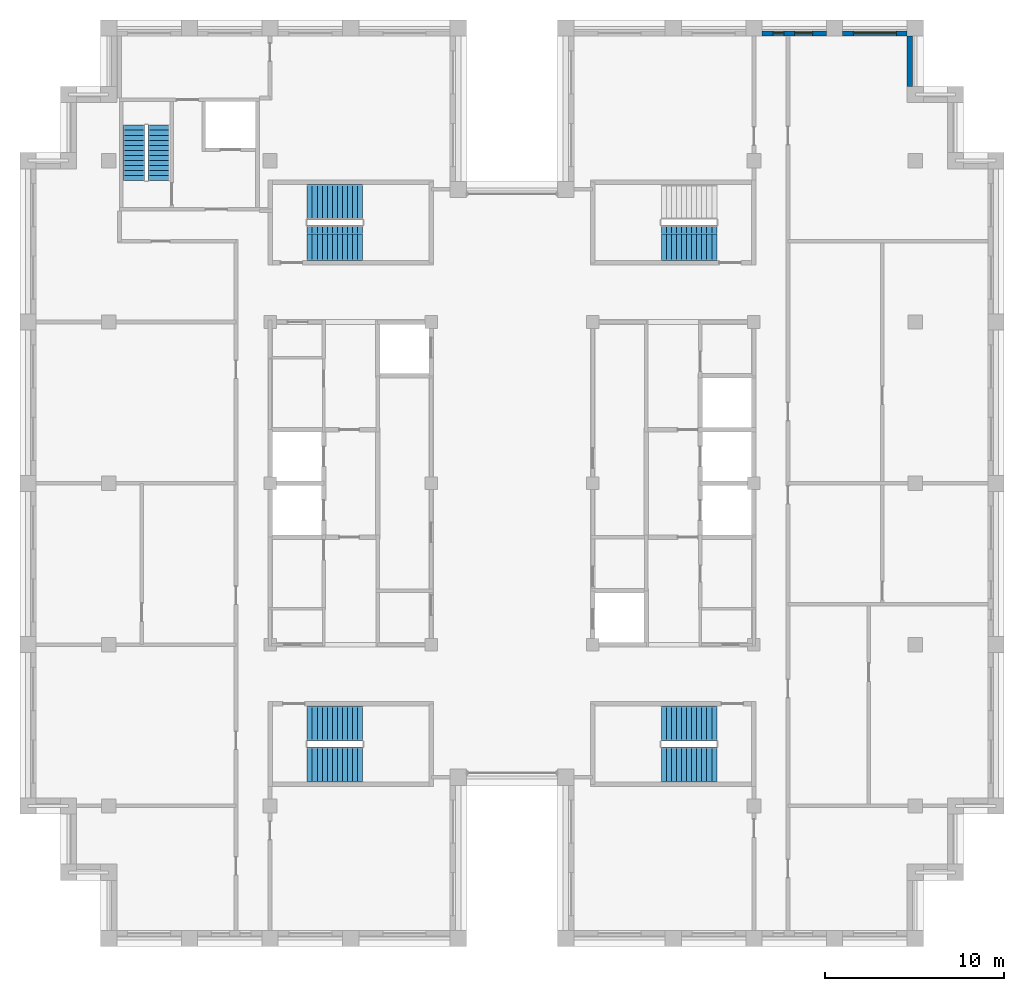
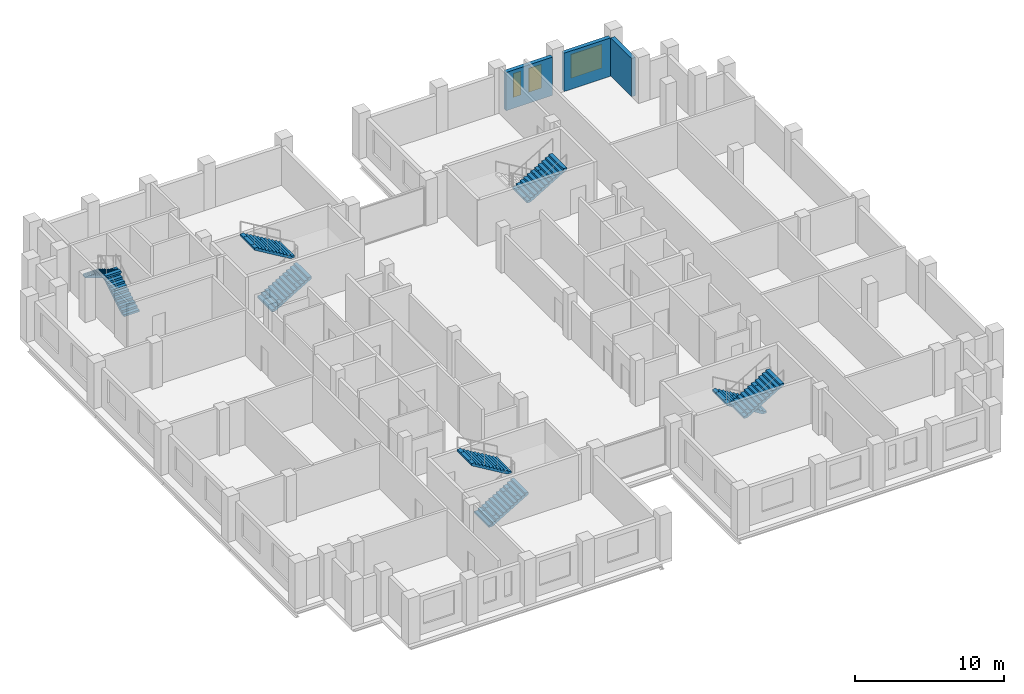
# One storey, part 11 of 13: 9 stair flights, 3 walls, 3 windows, 3 openings, 5 elements without a shape of their own.
"""IFC4 building model written with IfcOpenShell, lengths in metres."""

from ifc_helpers import new_model, si_unit, direction, frame, frame_2d, origin, place, context, subcontext, project, spatial, polyline, rectangle, outline, extrude, material, layer, layer_set, type_object, element, fill, aggregate, save


model = new_model("IFC4")

# Units and contexts
model_context = context("Model", 3, precision=1e-05, world=origin(), true_north=direction((0.0, 1.0)))
body_context = subcontext(model_context, "Body", "Model", "MODEL_VIEW")
ifc_project = project(units=[si_unit("LENGTHUNIT", "METRE"), si_unit("AREAUNIT", "SQUARE_METRE"), si_unit("VOLUMEUNIT", "CUBIC_METRE"), si_unit("PLANEANGLEUNIT", "RADIAN"), si_unit("MASSUNIT", "GRAM", prefix="KILO")], contexts=[model_context])

# Site, building, storey
site_placement = place(None, origin())
site = spatial("IfcSite", under=ifc_project, at=site_placement, CompositionType="ELEMENT")
building_placement = place(site_placement, origin())
building = spatial("IfcBuilding", under=site, at=building_placement, Name="Corbelhall Arena Tower", CompositionType="ELEMENT")
storey_placement = place(building_placement, frame((0.0, 0.0, 330.0)))
storey = spatial("IfcBuildingStorey", under=building, at=storey_placement, Name="L72", CompositionType="ELEMENT", Elevation=330.0)

# Wall
ifc_material_1 = material(Name="Precast concrete C40/50 with granite facing", Category="masonry")
ifc_layer = layer(ifc_material_1, 0.300048828125)
ifc_layer_set = layer_set([ifc_layer], Name="EV-IW1 Infill panel 300")
wall_type = type_object("IfcWallType", Name="EV-IW1 Infill panel 300", PredefinedType="SOLIDWALL", material=ifc_layer_set)
wall_1_placement = place(storey_placement, frame((22.199951171875, 22.14990234375, 0.0), z_axis=(0.0, 0.0, 1.0), x_axis=(0.0, 1.0, 0.0)))
element("IfcWall", 1, at=wall_1_placement, inside=storey, type_object=wall_type, Name="Infill panel IW1", PredefinedType="SOLIDWALL", context=body_context, shape_type="SweptSolid", body=[
    extrude(rectangle(XDim=2.800048828125, YDim=0.300048828125, at=frame_2d((1.39990234375, 0.0))), origin(), (0.0, 0.0, 1.0), 3.139892578125),
])

# Wall, opening, window
wall_2_placement = place(storey_placement, frame((22.050048828125, 25.10009765625, 0.0), z_axis=(0.0, 0.0, 1.0), x_axis=(-1.0, 0.0, 0.0)))
wall_2 = element("IfcWall", 2, at=wall_2_placement, inside=storey, type_object=wall_type, Name="Infill panel IW1", PredefinedType="SOLIDWALL", context=body_context, shape_type="SweptSolid", body=[
    extrude(rectangle(XDim=3.60009765625, YDim=0.300048828125, at=frame_2d((1.800048828125, 0.0))), origin(), (0.0, 0.0, 1.0), 3.139892578125),
])
opening_1_placement = place(wall_2_placement, frame((0.60009765625, 0.0, 0.800048828125)))
opening_1 = element("IfcOpeningElement", 3, at=opening_1_placement, cuts=wall_2, Name="Opening WN1", PredefinedType="OPENING", context=body_context, shape_type="SweptSolid", body=[
    extrude(rectangle(XDim=2.39990234375, YDim=1.949951171875, at=frame_2d((1.199951171875, 0.97509765625))), frame((0.0, 0.14990234375, 0.0), z_axis=(0.0, -1.0, 0.0), x_axis=(1.0, 0.0, 0.0)), (0.0, 0.0, 1.0), 0.300048828125),
])
ifc_material_2 = material(Name="Aluminium black anodised", Category="aluminium")
window_type_1 = type_object("IfcWindowType", Name="EV-WN1 Office window", PartitioningType="SINGLE_PANEL", PredefinedType="WINDOW", material=ifc_material_2)
window_1_placement = place(opening_1_placement, origin())
window_1 = element("IfcWindow", 4, at=window_1_placement, inside=storey, type_object=window_type_1, Name="Window WN1", OverallHeight=1.949951171875, OverallWidth=2.39990234375, PartitioningType="SINGLE_PANEL", PredefinedType="WINDOW", context=body_context, shape_type="SweptSolid", body=[
    extrude(rectangle(XDim=2.39990234375, YDim=1.949951171875, at=frame_2d((1.199951171875, 0.97509765625))), frame((0.0, 0.030029296875, 0.0), z_axis=(0.0, -1.0, 0.0), x_axis=(1.0, 0.0, 0.0)), (0.0, 0.0, 1.0), 0.06005859375),
])
fill(opening_1, window_1)

# Wall, openings, windows
wall_3_placement = place(storey_placement, frame((17.550048828125, 25.10009765625, 0.0), z_axis=(0.0, 0.0, 1.0), x_axis=(-1.0, 0.0, 0.0)))
wall_3 = element("IfcWall", 5, at=wall_3_placement, inside=storey, type_object=wall_type, Name="Infill panel IW1", PredefinedType="SOLIDWALL", context=body_context, shape_type="SweptSolid", body=[
    extrude(rectangle(XDim=3.60009765625, YDim=0.300048828125, at=frame_2d((1.800048828125, 0.0))), origin(), (0.0, 0.0, 1.0), 3.139892578125),
])
opening_2_placement = place(wall_3_placement, frame((0.77490234375, 0.0, 0.800048828125)))
opening_2 = element("IfcOpeningElement", 6, at=opening_2_placement, cuts=wall_3, Name="Opening WN6", PredefinedType="OPENING", context=body_context, shape_type="SweptSolid", body=[
    extrude(rectangle(XDim=1.0, YDim=1.949951171875, at=frame_2d((0.5, 0.97509765625))), frame((0.0, 0.14990234375, 0.0), z_axis=(0.0, -1.0, 0.0), x_axis=(1.0, 0.0, 0.0)), (0.0, 0.0, 1.0), 0.300048828125),
])
opening_3_placement = place(wall_3_placement, frame((2.375, 0.0, 0.800048828125)))
opening_3 = element("IfcOpeningElement", 7, at=opening_3_placement, cuts=wall_3, Name="Opening WN5", PredefinedType="OPENING", context=body_context, shape_type="SweptSolid", body=[
    extrude(rectangle(XDim=0.60009765625, YDim=1.949951171875, at=frame_2d((0.300048828125, 0.97509765625))), frame((0.0, 0.14990234375, 0.0), z_axis=(0.0, -1.0, 0.0), x_axis=(1.0, 0.0, 0.0)), (0.0, 0.0, 1.0), 0.300048828125),
])
window_type_2 = type_object("IfcWindowType", Name="EV-WN5 Office window 600", PartitioningType="SINGLE_PANEL", PredefinedType="WINDOW", material=ifc_material_2)
window_2_placement = place(opening_3_placement, origin())
window_2 = element("IfcWindow", 8, at=window_2_placement, inside=storey, type_object=window_type_2, Name="Window WN5", OverallHeight=1.949951171875, OverallWidth=0.60009765625, PartitioningType="SINGLE_PANEL", PredefinedType="WINDOW", context=body_context, shape_type="SweptSolid", body=[
    extrude(rectangle(XDim=0.60009765625, YDim=1.949951171875, at=frame_2d((0.300048828125, 0.97509765625))), frame((0.0, 0.030029296875, 0.0), z_axis=(0.0, -1.0, 0.0), x_axis=(1.0, 0.0, 0.0)), (0.0, 0.0, 1.0), 0.06005859375),
])
fill(opening_3, window_2)
window_type_3 = type_object("IfcWindowType", Name="EV-WN6 Office window 1000", PartitioningType="SINGLE_PANEL", PredefinedType="WINDOW", material=ifc_material_2)
window_3_placement = place(opening_2_placement, origin())
window_3 = element("IfcWindow", 9, at=window_3_placement, inside=storey, type_object=window_type_3, Name="Window WN6", OverallHeight=1.949951171875, OverallWidth=1.0, PartitioningType="SINGLE_PANEL", PredefinedType="WINDOW", context=body_context, shape_type="SweptSolid", body=[
    extrude(rectangle(XDim=1.0, YDim=1.949951171875, at=frame_2d((0.5, 0.97509765625))), frame((0.0, 0.030029296875, 0.0), z_axis=(0.0, -1.0, 0.0), x_axis=(1.0, 0.0, 0.0)), (0.0, 0.0, 1.0), 0.06005859375),
])
fill(opening_2, window_3)

# Stair, stair flights
ifc_material_3 = material(Name="Concrete C40/50", Category="concrete")
stair_type = type_object("IfcStairType", Name="IN-ST-TOWER", PredefinedType="HALF_TURN_STAIR", material=ifc_material_3)
stair_1_placement = place(storey_placement, origin())
stair_1 = element("IfcStair", 10, at=stair_1_placement, inside=storey, type_object=stair_type, Name="L72 Exit stair ST1", PredefinedType="HALF_TURN_STAIR")
stair_flight_type = type_object("IfcStairFlightType", Name="IN-SFL-RC", PredefinedType="STRAIGHT", material=ifc_material_3)
stair_flight_1_placement = place(storey_placement, frame((-11.425048828125, 13.39990234375, 0.0), z_axis=(0.0, 0.0, 1.0), x_axis=(1.0, 0.0, 0.0)))
stair_flight_1 = element("IfcStairFlight", 11, at=stair_flight_1_placement, type_object=stair_flight_type, Name="ST1 flight 1", NumberOfRisers=12, NumberOfTreads=11, PredefinedType="STRAIGHT", RiserHeight=0.166666667, TreadLength=0.28, context=body_context, shape_type="SweptSolid", body=[
    extrude(outline(polyline([(0.0, 0.0), (0.0, 0.166748046875), (0.280029296875, 0.166748046875), (0.280029296875, 0.333251953125), (0.56005859375, 0.333251953125), (0.56005859375, 0.5), (0.840087890625, 0.5), (0.840087890625, 0.666748046875), (1.1201171875, 0.666748046875), (1.1201171875, 0.833251953125), (1.39990234375, 0.833251953125), (1.39990234375, 1.0), (1.679931640625, 1.0), (1.679931640625, 1.166748046875), (1.9599609375, 1.166748046875), (1.9599609375, 1.333251953125), (2.239990234375, 1.333251953125), (2.239990234375, 1.5), (2.52001953125, 1.5), (2.52001953125, 1.666748046875), (2.800048828125, 1.666748046875), (2.800048828125, 1.833251953125), (3.080078125, 1.833251953125), (3.080078125, 2.0), (3.080078125, 1.658935546875), (0.29296875, 0.0), (0.0, 0.0)])), frame((0.0, 0.97509765625, 0.0), z_axis=(0.0, -1.0, 0.0), x_axis=(1.0, 0.0, 0.0)), (0.0, 0.0, 1.0), 0.449951171875),
    extrude(outline(polyline([(0.0, 0.0), (0.0, 0.166748046875), (0.280029296875, 0.166748046875), (0.280029296875, 0.333251953125), (0.56005859375, 0.333251953125), (0.56005859375, 0.5), (0.840087890625, 0.5), (0.840087890625, 0.666748046875), (1.1201171875, 0.666748046875), (1.1201171875, 0.833251953125), (1.39990234375, 0.833251953125), (1.39990234375, 1.0), (1.679931640625, 1.0), (1.679931640625, 1.166748046875), (1.9599609375, 1.166748046875), (1.9599609375, 1.333251953125), (2.239990234375, 1.333251953125), (2.239990234375, 1.5), (2.52001953125, 1.5), (2.52001953125, 1.666748046875), (2.800048828125, 1.666748046875), (2.800048828125, 1.833251953125), (3.080078125, 1.833251953125), (3.080078125, 2.0), (3.080078125, 1.658935546875), (0.29296875, 0.0), (0.0, 0.0)])), frame((0.0, 0.52099609375, 0.0), z_axis=(0.0, -1.0, 0.0), x_axis=(1.0, 0.0, 0.0)), (0.0, 0.0, 1.0), 1.0419921875),
    extrude(outline(polyline([(0.0, 0.0), (0.0, 0.166748046875), (0.280029296875, 0.166748046875), (0.280029296875, 0.333251953125), (0.56005859375, 0.333251953125), (0.56005859375, 0.5), (0.840087890625, 0.5), (0.840087890625, 0.666748046875), (1.1201171875, 0.666748046875), (1.1201171875, 0.833251953125), (1.39990234375, 0.833251953125), (1.39990234375, 1.0), (1.679931640625, 1.0), (1.679931640625, 1.166748046875), (1.9599609375, 1.166748046875), (1.9599609375, 1.333251953125), (2.239990234375, 1.333251953125), (2.239990234375, 1.5), (2.52001953125, 1.5), (2.52001953125, 1.666748046875), (2.800048828125, 1.666748046875), (2.800048828125, 1.833251953125), (3.080078125, 1.833251953125), (3.080078125, 2.0), (3.080078125, 1.658935546875), (0.29296875, 0.0), (0.0, 0.0)])), frame((0.0, -0.52490234375, 0.0), z_axis=(0.0, -1.0, 0.0), x_axis=(1.0, 0.0, 0.0)), (0.0, 0.0, 1.0), 0.449951171875),
])
stair_flight_2_placement = place(storey_placement, frame((-8.344970703125, 15.699951171875, 2.0), z_axis=(0.0, 0.0, 1.0), x_axis=(-1.0, 0.0, 0.0)))
stair_flight_2 = element("IfcStairFlight", 12, at=stair_flight_2_placement, type_object=stair_flight_type, Name="ST1 flight 2", NumberOfRisers=12, NumberOfTreads=11, PredefinedType="STRAIGHT", RiserHeight=0.166666667, TreadLength=0.28, context=body_context, shape_type="SweptSolid", body=[
    extrude(outline(polyline([(0.0, 0.0), (0.0, 0.166748046875), (0.280029296875, 0.166748046875), (0.280029296875, 0.333251953125), (0.56005859375, 0.333251953125), (0.56005859375, 0.5), (0.840087890625, 0.5), (0.840087890625, 0.666748046875), (1.1201171875, 0.666748046875), (1.1201171875, 0.833251953125), (1.39990234375, 0.833251953125), (1.39990234375, 1.0), (1.679931640625, 1.0), (1.679931640625, 1.166748046875), (1.9599609375, 1.166748046875), (1.9599609375, 1.333251953125), (2.239990234375, 1.333251953125), (2.239990234375, 1.5), (2.52001953125, 1.5), (2.52001953125, 1.666748046875), (2.800048828125, 1.666748046875), (2.800048828125, 1.833251953125), (3.080078125, 1.833251953125), (3.080078125, 2.0), (3.080078125, 1.658935546875), (0.29296875, 0.0), (0.0, 0.0)])), frame((0.0, 0.97509765625, 0.0), z_axis=(0.0, -1.0, 0.0), x_axis=(1.0, 0.0, 0.0)), (0.0, 0.0, 1.0), 0.449951171875),
    extrude(outline(polyline([(0.0, 0.0), (0.0, 0.166748046875), (0.280029296875, 0.166748046875), (0.280029296875, 0.333251953125), (0.56005859375, 0.333251953125), (0.56005859375, 0.5), (0.840087890625, 0.5), (0.840087890625, 0.666748046875), (1.1201171875, 0.666748046875), (1.1201171875, 0.833251953125), (1.39990234375, 0.833251953125), (1.39990234375, 1.0), (1.679931640625, 1.0), (1.679931640625, 1.166748046875), (1.9599609375, 1.166748046875), (1.9599609375, 1.333251953125), (2.239990234375, 1.333251953125), (2.239990234375, 1.5), (2.52001953125, 1.5), (2.52001953125, 1.666748046875), (2.800048828125, 1.666748046875), (2.800048828125, 1.833251953125), (3.080078125, 1.833251953125), (3.080078125, 2.0), (3.080078125, 1.658935546875), (0.29296875, 0.0), (0.0, 0.0)])), frame((0.0, 0.52099609375, 0.0), z_axis=(0.0, -1.0, 0.0), x_axis=(1.0, 0.0, 0.0)), (0.0, 0.0, 1.0), 1.0419921875),
    extrude(outline(polyline([(0.0, 0.0), (0.0, 0.166748046875), (0.280029296875, 0.166748046875), (0.280029296875, 0.333251953125), (0.56005859375, 0.333251953125), (0.56005859375, 0.5), (0.840087890625, 0.5), (0.840087890625, 0.666748046875), (1.1201171875, 0.666748046875), (1.1201171875, 0.833251953125), (1.39990234375, 0.833251953125), (1.39990234375, 1.0), (1.679931640625, 1.0), (1.679931640625, 1.166748046875), (1.9599609375, 1.166748046875), (1.9599609375, 1.333251953125), (2.239990234375, 1.333251953125), (2.239990234375, 1.5), (2.52001953125, 1.5), (2.52001953125, 1.666748046875), (2.800048828125, 1.666748046875), (2.800048828125, 1.833251953125), (3.080078125, 1.833251953125), (3.080078125, 2.0), (3.080078125, 1.658935546875), (0.29296875, 0.0), (0.0, 0.0)])), frame((0.0, -0.52490234375, 0.0), z_axis=(0.0, -1.0, 0.0), x_axis=(1.0, 0.0, 0.0)), (0.0, 0.0, 1.0), 0.449951171875),
])
aggregate(stair_1, [stair_flight_1, stair_flight_2])

stair_2_placement = place(storey_placement, origin())
stair_2 = element("IfcStair", 13, at=stair_2_placement, inside=storey, type_object=stair_type, Name="L72 Exit stair ST2", PredefinedType="HALF_TURN_STAIR")
stair_flight_3_placement = place(storey_placement, frame((-11.425048828125, -15.699951171875, 0.0), z_axis=(0.0, 0.0, 1.0), x_axis=(1.0, 0.0, 0.0)))
stair_flight_3 = element("IfcStairFlight", 14, at=stair_flight_3_placement, type_object=stair_flight_type, Name="ST2 flight 1", NumberOfRisers=12, NumberOfTreads=11, PredefinedType="STRAIGHT", RiserHeight=0.166666667, TreadLength=0.28, context=body_context, shape_type="SweptSolid", body=[
    extrude(outline(polyline([(0.0, 0.0), (0.0, 0.166748046875), (0.280029296875, 0.166748046875), (0.280029296875, 0.333251953125), (0.56005859375, 0.333251953125), (0.56005859375, 0.5), (0.840087890625, 0.5), (0.840087890625, 0.666748046875), (1.1201171875, 0.666748046875), (1.1201171875, 0.833251953125), (1.39990234375, 0.833251953125), (1.39990234375, 1.0), (1.679931640625, 1.0), (1.679931640625, 1.166748046875), (1.9599609375, 1.166748046875), (1.9599609375, 1.333251953125), (2.239990234375, 1.333251953125), (2.239990234375, 1.5), (2.52001953125, 1.5), (2.52001953125, 1.666748046875), (2.800048828125, 1.666748046875), (2.800048828125, 1.833251953125), (3.080078125, 1.833251953125), (3.080078125, 2.0), (3.080078125, 1.658935546875), (0.29296875, 0.0), (0.0, 0.0)])), frame((0.0, 0.97509765625, 0.0), z_axis=(0.0, -1.0, 0.0), x_axis=(1.0, 0.0, 0.0)), (0.0, 0.0, 1.0), 0.449951171875),
    extrude(outline(polyline([(0.0, 0.0), (0.0, 0.166748046875), (0.280029296875, 0.166748046875), (0.280029296875, 0.333251953125), (0.56005859375, 0.333251953125), (0.56005859375, 0.5), (0.840087890625, 0.5), (0.840087890625, 0.666748046875), (1.1201171875, 0.666748046875), (1.1201171875, 0.833251953125), (1.39990234375, 0.833251953125), (1.39990234375, 1.0), (1.679931640625, 1.0), (1.679931640625, 1.166748046875), (1.9599609375, 1.166748046875), (1.9599609375, 1.333251953125), (2.239990234375, 1.333251953125), (2.239990234375, 1.5), (2.52001953125, 1.5), (2.52001953125, 1.666748046875), (2.800048828125, 1.666748046875), (2.800048828125, 1.833251953125), (3.080078125, 1.833251953125), (3.080078125, 2.0), (3.080078125, 1.658935546875), (0.29296875, 0.0), (0.0, 0.0)])), frame((0.0, 0.52099609375, 0.0), z_axis=(0.0, -1.0, 0.0), x_axis=(1.0, 0.0, 0.0)), (0.0, 0.0, 1.0), 1.0419921875),
    extrude(outline(polyline([(0.0, 0.0), (0.0, 0.166748046875), (0.280029296875, 0.166748046875), (0.280029296875, 0.333251953125), (0.56005859375, 0.333251953125), (0.56005859375, 0.5), (0.840087890625, 0.5), (0.840087890625, 0.666748046875), (1.1201171875, 0.666748046875), (1.1201171875, 0.833251953125), (1.39990234375, 0.833251953125), (1.39990234375, 1.0), (1.679931640625, 1.0), (1.679931640625, 1.166748046875), (1.9599609375, 1.166748046875), (1.9599609375, 1.333251953125), (2.239990234375, 1.333251953125), (2.239990234375, 1.5), (2.52001953125, 1.5), (2.52001953125, 1.666748046875), (2.800048828125, 1.666748046875), (2.800048828125, 1.833251953125), (3.080078125, 1.833251953125), (3.080078125, 2.0), (3.080078125, 1.658935546875), (0.29296875, 0.0), (0.0, 0.0)])), frame((0.0, -0.52490234375, 0.0), z_axis=(0.0, -1.0, 0.0), x_axis=(1.0, 0.0, 0.0)), (0.0, 0.0, 1.0), 0.449951171875),
])
stair_flight_4_placement = place(storey_placement, frame((-8.344970703125, -13.39990234375, 2.0), z_axis=(0.0, 0.0, 1.0), x_axis=(-1.0, 0.0, 0.0)))
stair_flight_4 = element("IfcStairFlight", 15, at=stair_flight_4_placement, type_object=stair_flight_type, Name="ST2 flight 2", NumberOfRisers=12, NumberOfTreads=11, PredefinedType="STRAIGHT", RiserHeight=0.166666667, TreadLength=0.28, context=body_context, shape_type="SweptSolid", body=[
    extrude(outline(polyline([(0.0, 0.0), (0.0, 0.166748046875), (0.280029296875, 0.166748046875), (0.280029296875, 0.333251953125), (0.56005859375, 0.333251953125), (0.56005859375, 0.5), (0.840087890625, 0.5), (0.840087890625, 0.666748046875), (1.1201171875, 0.666748046875), (1.1201171875, 0.833251953125), (1.39990234375, 0.833251953125), (1.39990234375, 1.0), (1.679931640625, 1.0), (1.679931640625, 1.166748046875), (1.9599609375, 1.166748046875), (1.9599609375, 1.333251953125), (2.239990234375, 1.333251953125), (2.239990234375, 1.5), (2.52001953125, 1.5), (2.52001953125, 1.666748046875), (2.800048828125, 1.666748046875), (2.800048828125, 1.833251953125), (3.080078125, 1.833251953125), (3.080078125, 2.0), (3.080078125, 1.658935546875), (0.29296875, 0.0), (0.0, 0.0)])), frame((0.0, 0.97509765625, 0.0), z_axis=(0.0, -1.0, 0.0), x_axis=(1.0, 0.0, 0.0)), (0.0, 0.0, 1.0), 0.449951171875),
    extrude(outline(polyline([(0.0, 0.0), (0.0, 0.166748046875), (0.280029296875, 0.166748046875), (0.280029296875, 0.333251953125), (0.56005859375, 0.333251953125), (0.56005859375, 0.5), (0.840087890625, 0.5), (0.840087890625, 0.666748046875), (1.1201171875, 0.666748046875), (1.1201171875, 0.833251953125), (1.39990234375, 0.833251953125), (1.39990234375, 1.0), (1.679931640625, 1.0), (1.679931640625, 1.166748046875), (1.9599609375, 1.166748046875), (1.9599609375, 1.333251953125), (2.239990234375, 1.333251953125), (2.239990234375, 1.5), (2.52001953125, 1.5), (2.52001953125, 1.666748046875), (2.800048828125, 1.666748046875), (2.800048828125, 1.833251953125), (3.080078125, 1.833251953125), (3.080078125, 2.0), (3.080078125, 1.658935546875), (0.29296875, 0.0), (0.0, 0.0)])), frame((0.0, 0.52099609375, 0.0), z_axis=(0.0, -1.0, 0.0), x_axis=(1.0, 0.0, 0.0)), (0.0, 0.0, 1.0), 1.0419921875),
    extrude(outline(polyline([(0.0, 0.0), (0.0, 0.166748046875), (0.280029296875, 0.166748046875), (0.280029296875, 0.333251953125), (0.56005859375, 0.333251953125), (0.56005859375, 0.5), (0.840087890625, 0.5), (0.840087890625, 0.666748046875), (1.1201171875, 0.666748046875), (1.1201171875, 0.833251953125), (1.39990234375, 0.833251953125), (1.39990234375, 1.0), (1.679931640625, 1.0), (1.679931640625, 1.166748046875), (1.9599609375, 1.166748046875), (1.9599609375, 1.333251953125), (2.239990234375, 1.333251953125), (2.239990234375, 1.5), (2.52001953125, 1.5), (2.52001953125, 1.666748046875), (2.800048828125, 1.666748046875), (2.800048828125, 1.833251953125), (3.080078125, 1.833251953125), (3.080078125, 2.0), (3.080078125, 1.658935546875), (0.29296875, 0.0), (0.0, 0.0)])), frame((0.0, -0.52490234375, 0.0), z_axis=(0.0, -1.0, 0.0), x_axis=(1.0, 0.0, 0.0)), (0.0, 0.0, 1.0), 0.449951171875),
])
aggregate(stair_2, [stair_flight_3, stair_flight_4])

# Stair, stair flight
stair_3_placement = place(storey_placement, origin())
stair_3 = element("IfcStair", 16, at=stair_3_placement, inside=storey, type_object=stair_type, Name="L72 Exit stair ST3", PredefinedType="HALF_TURN_STAIR")
stair_flight_5_placement = place(storey_placement, frame((8.344970703125, 13.39990234375, 2.0), z_axis=(0.0, 0.0, 1.0), x_axis=(1.0, 0.0, 0.0)))
stair_flight_5 = element("IfcStairFlight", 17, at=stair_flight_5_placement, type_object=stair_flight_type, Name="ST3 flight 2", NumberOfRisers=12, NumberOfTreads=11, PredefinedType="STRAIGHT", RiserHeight=0.166666667, TreadLength=0.28, context=body_context, shape_type="SweptSolid", body=[
    extrude(outline(polyline([(0.0, 0.0), (0.0, 0.166748046875), (0.280029296875, 0.166748046875), (0.280029296875, 0.333251953125), (0.56005859375, 0.333251953125), (0.56005859375, 0.5), (0.840087890625, 0.5), (0.840087890625, 0.666748046875), (1.1201171875, 0.666748046875), (1.1201171875, 0.833251953125), (1.39990234375, 0.833251953125), (1.39990234375, 1.0), (1.679931640625, 1.0), (1.679931640625, 1.166748046875), (1.9599609375, 1.166748046875), (1.9599609375, 1.333251953125), (2.239990234375, 1.333251953125), (2.239990234375, 1.5), (2.52001953125, 1.5), (2.52001953125, 1.666748046875), (2.800048828125, 1.666748046875), (2.800048828125, 1.833251953125), (3.080078125, 1.833251953125), (3.080078125, 2.0), (3.080078125, 1.658935546875), (0.29296875, 0.0), (0.0, 0.0)])), frame((0.0, 0.97509765625, 0.0), z_axis=(0.0, -1.0, 0.0), x_axis=(1.0, 0.0, 0.0)), (0.0, 0.0, 1.0), 0.449951171875),
    extrude(outline(polyline([(0.0, 0.0), (0.0, 0.166748046875), (0.280029296875, 0.166748046875), (0.280029296875, 0.333251953125), (0.56005859375, 0.333251953125), (0.56005859375, 0.5), (0.840087890625, 0.5), (0.840087890625, 0.666748046875), (1.1201171875, 0.666748046875), (1.1201171875, 0.833251953125), (1.39990234375, 0.833251953125), (1.39990234375, 1.0), (1.679931640625, 1.0), (1.679931640625, 1.166748046875), (1.9599609375, 1.166748046875), (1.9599609375, 1.333251953125), (2.239990234375, 1.333251953125), (2.239990234375, 1.5), (2.52001953125, 1.5), (2.52001953125, 1.666748046875), (2.800048828125, 1.666748046875), (2.800048828125, 1.833251953125), (3.080078125, 1.833251953125), (3.080078125, 2.0), (3.080078125, 1.658935546875), (0.29296875, 0.0), (0.0, 0.0)])), frame((0.0, 0.52099609375, 0.0), z_axis=(0.0, -1.0, 0.0), x_axis=(1.0, 0.0, 0.0)), (0.0, 0.0, 1.0), 1.0419921875),
    extrude(outline(polyline([(0.0, 0.0), (0.0, 0.166748046875), (0.280029296875, 0.166748046875), (0.280029296875, 0.333251953125), (0.56005859375, 0.333251953125), (0.56005859375, 0.5), (0.840087890625, 0.5), (0.840087890625, 0.666748046875), (1.1201171875, 0.666748046875), (1.1201171875, 0.833251953125), (1.39990234375, 0.833251953125), (1.39990234375, 1.0), (1.679931640625, 1.0), (1.679931640625, 1.166748046875), (1.9599609375, 1.166748046875), (1.9599609375, 1.333251953125), (2.239990234375, 1.333251953125), (2.239990234375, 1.5), (2.52001953125, 1.5), (2.52001953125, 1.666748046875), (2.800048828125, 1.666748046875), (2.800048828125, 1.833251953125), (3.080078125, 1.833251953125), (3.080078125, 2.0), (3.080078125, 1.658935546875), (0.29296875, 0.0), (0.0, 0.0)])), frame((0.0, -0.52490234375, 0.0), z_axis=(0.0, -1.0, 0.0), x_axis=(1.0, 0.0, 0.0)), (0.0, 0.0, 1.0), 0.449951171875),
])
aggregate(stair_3, [stair_flight_5])

# Stair, stair flights
stair_4_placement = place(storey_placement, origin())
stair_4 = element("IfcStair", 18, at=stair_4_placement, inside=storey, type_object=stair_type, Name="L72 Exit stair ST4", PredefinedType="HALF_TURN_STAIR")
stair_flight_6_placement = place(storey_placement, frame((11.425048828125, -13.39990234375, 0.0), z_axis=(0.0, 0.0, 1.0), x_axis=(-1.0, 0.0, 0.0)))
stair_flight_6 = element("IfcStairFlight", 19, at=stair_flight_6_placement, type_object=stair_flight_type, Name="ST4 flight 1", NumberOfRisers=12, NumberOfTreads=11, PredefinedType="STRAIGHT", RiserHeight=0.166666667, TreadLength=0.28, context=body_context, shape_type="SweptSolid", body=[
    extrude(outline(polyline([(0.0, 0.0), (0.0, 0.166748046875), (0.280029296875, 0.166748046875), (0.280029296875, 0.333251953125), (0.56005859375, 0.333251953125), (0.56005859375, 0.5), (0.840087890625, 0.5), (0.840087890625, 0.666748046875), (1.1201171875, 0.666748046875), (1.1201171875, 0.833251953125), (1.39990234375, 0.833251953125), (1.39990234375, 1.0), (1.679931640625, 1.0), (1.679931640625, 1.166748046875), (1.9599609375, 1.166748046875), (1.9599609375, 1.333251953125), (2.239990234375, 1.333251953125), (2.239990234375, 1.5), (2.52001953125, 1.5), (2.52001953125, 1.666748046875), (2.800048828125, 1.666748046875), (2.800048828125, 1.833251953125), (3.080078125, 1.833251953125), (3.080078125, 2.0), (3.080078125, 1.658935546875), (0.29296875, 0.0), (0.0, 0.0)])), frame((0.0, 0.97509765625, 0.0), z_axis=(0.0, -1.0, 0.0), x_axis=(1.0, 0.0, 0.0)), (0.0, 0.0, 1.0), 0.449951171875),
    extrude(outline(polyline([(0.0, 0.0), (0.0, 0.166748046875), (0.280029296875, 0.166748046875), (0.280029296875, 0.333251953125), (0.56005859375, 0.333251953125), (0.56005859375, 0.5), (0.840087890625, 0.5), (0.840087890625, 0.666748046875), (1.1201171875, 0.666748046875), (1.1201171875, 0.833251953125), (1.39990234375, 0.833251953125), (1.39990234375, 1.0), (1.679931640625, 1.0), (1.679931640625, 1.166748046875), (1.9599609375, 1.166748046875), (1.9599609375, 1.333251953125), (2.239990234375, 1.333251953125), (2.239990234375, 1.5), (2.52001953125, 1.5), (2.52001953125, 1.666748046875), (2.800048828125, 1.666748046875), (2.800048828125, 1.833251953125), (3.080078125, 1.833251953125), (3.080078125, 2.0), (3.080078125, 1.658935546875), (0.29296875, 0.0), (0.0, 0.0)])), frame((0.0, 0.52099609375, 0.0), z_axis=(0.0, -1.0, 0.0), x_axis=(1.0, 0.0, 0.0)), (0.0, 0.0, 1.0), 1.0419921875),
    extrude(outline(polyline([(0.0, 0.0), (0.0, 0.166748046875), (0.280029296875, 0.166748046875), (0.280029296875, 0.333251953125), (0.56005859375, 0.333251953125), (0.56005859375, 0.5), (0.840087890625, 0.5), (0.840087890625, 0.666748046875), (1.1201171875, 0.666748046875), (1.1201171875, 0.833251953125), (1.39990234375, 0.833251953125), (1.39990234375, 1.0), (1.679931640625, 1.0), (1.679931640625, 1.166748046875), (1.9599609375, 1.166748046875), (1.9599609375, 1.333251953125), (2.239990234375, 1.333251953125), (2.239990234375, 1.5), (2.52001953125, 1.5), (2.52001953125, 1.666748046875), (2.800048828125, 1.666748046875), (2.800048828125, 1.833251953125), (3.080078125, 1.833251953125), (3.080078125, 2.0), (3.080078125, 1.658935546875), (0.29296875, 0.0), (0.0, 0.0)])), frame((0.0, -0.52490234375, 0.0), z_axis=(0.0, -1.0, 0.0), x_axis=(1.0, 0.0, 0.0)), (0.0, 0.0, 1.0), 0.449951171875),
])
stair_flight_7_placement = place(storey_placement, frame((8.344970703125, -15.699951171875, 2.0), z_axis=(0.0, 0.0, 1.0), x_axis=(1.0, 0.0, 0.0)))
stair_flight_7 = element("IfcStairFlight", 20, at=stair_flight_7_placement, type_object=stair_flight_type, Name="ST4 flight 2", NumberOfRisers=12, NumberOfTreads=11, PredefinedType="STRAIGHT", RiserHeight=0.166666667, TreadLength=0.28, context=body_context, shape_type="SweptSolid", body=[
    extrude(outline(polyline([(0.0, 0.0), (0.0, 0.166748046875), (0.280029296875, 0.166748046875), (0.280029296875, 0.333251953125), (0.56005859375, 0.333251953125), (0.56005859375, 0.5), (0.840087890625, 0.5), (0.840087890625, 0.666748046875), (1.1201171875, 0.666748046875), (1.1201171875, 0.833251953125), (1.39990234375, 0.833251953125), (1.39990234375, 1.0), (1.679931640625, 1.0), (1.679931640625, 1.166748046875), (1.9599609375, 1.166748046875), (1.9599609375, 1.333251953125), (2.239990234375, 1.333251953125), (2.239990234375, 1.5), (2.52001953125, 1.5), (2.52001953125, 1.666748046875), (2.800048828125, 1.666748046875), (2.800048828125, 1.833251953125), (3.080078125, 1.833251953125), (3.080078125, 2.0), (3.080078125, 1.658935546875), (0.29296875, 0.0), (0.0, 0.0)])), frame((0.0, 0.97509765625, 0.0), z_axis=(0.0, -1.0, 0.0), x_axis=(1.0, 0.0, 0.0)), (0.0, 0.0, 1.0), 0.449951171875),
    extrude(outline(polyline([(0.0, 0.0), (0.0, 0.166748046875), (0.280029296875, 0.166748046875), (0.280029296875, 0.333251953125), (0.56005859375, 0.333251953125), (0.56005859375, 0.5), (0.840087890625, 0.5), (0.840087890625, 0.666748046875), (1.1201171875, 0.666748046875), (1.1201171875, 0.833251953125), (1.39990234375, 0.833251953125), (1.39990234375, 1.0), (1.679931640625, 1.0), (1.679931640625, 1.166748046875), (1.9599609375, 1.166748046875), (1.9599609375, 1.333251953125), (2.239990234375, 1.333251953125), (2.239990234375, 1.5), (2.52001953125, 1.5), (2.52001953125, 1.666748046875), (2.800048828125, 1.666748046875), (2.800048828125, 1.833251953125), (3.080078125, 1.833251953125), (3.080078125, 2.0), (3.080078125, 1.658935546875), (0.29296875, 0.0), (0.0, 0.0)])), frame((0.0, 0.52099609375, 0.0), z_axis=(0.0, -1.0, 0.0), x_axis=(1.0, 0.0, 0.0)), (0.0, 0.0, 1.0), 1.0419921875),
    extrude(outline(polyline([(0.0, 0.0), (0.0, 0.166748046875), (0.280029296875, 0.166748046875), (0.280029296875, 0.333251953125), (0.56005859375, 0.333251953125), (0.56005859375, 0.5), (0.840087890625, 0.5), (0.840087890625, 0.666748046875), (1.1201171875, 0.666748046875), (1.1201171875, 0.833251953125), (1.39990234375, 0.833251953125), (1.39990234375, 1.0), (1.679931640625, 1.0), (1.679931640625, 1.166748046875), (1.9599609375, 1.166748046875), (1.9599609375, 1.333251953125), (2.239990234375, 1.333251953125), (2.239990234375, 1.5), (2.52001953125, 1.5), (2.52001953125, 1.666748046875), (2.800048828125, 1.666748046875), (2.800048828125, 1.833251953125), (3.080078125, 1.833251953125), (3.080078125, 2.0), (3.080078125, 1.658935546875), (0.29296875, 0.0), (0.0, 0.0)])), frame((0.0, -0.52490234375, 0.0), z_axis=(0.0, -1.0, 0.0), x_axis=(1.0, 0.0, 0.0)), (0.0, 0.0, 1.0), 0.449951171875),
])
aggregate(stair_4, [stair_flight_6, stair_flight_7])

stair_5_placement = place(storey_placement, origin())
stair_5 = element("IfcStair", 21, at=stair_5_placement, inside=storey, type_object=stair_type, Name="L72 Exit stair ST5", PredefinedType="HALF_TURN_STAIR")
stair_flight_8_placement = place(storey_placement, frame((-19.695068359375, 16.89990234375, 0.0), z_axis=(0.0, 0.0, 1.0), x_axis=(0.0, 1.0, 0.0)))
stair_flight_8 = element("IfcStairFlight", 22, at=stair_flight_8_placement, type_object=stair_flight_type, Name="ST5 flight 1", NumberOfRisers=12, NumberOfTreads=11, PredefinedType="STRAIGHT", RiserHeight=0.166666667, TreadLength=0.28, context=body_context, shape_type="SweptSolid", body=[
    extrude(outline(polyline([(0.0, 0.0), (0.0, 0.166748046875), (0.280029296875, 0.166748046875), (0.280029296875, 0.333251953125), (0.56005859375, 0.333251953125), (0.56005859375, 0.5), (0.840087890625, 0.5), (0.840087890625, 0.666748046875), (1.1201171875, 0.666748046875), (1.1201171875, 0.833251953125), (1.39990234375, 0.833251953125), (1.39990234375, 1.0), (1.679931640625, 1.0), (1.679931640625, 1.166748046875), (1.9599609375, 1.166748046875), (1.9599609375, 1.333251953125), (2.239990234375, 1.333251953125), (2.239990234375, 1.5), (2.52001953125, 1.5), (2.52001953125, 1.666748046875), (2.800048828125, 1.666748046875), (2.800048828125, 1.833251953125), (3.080078125, 1.833251953125), (3.080078125, 2.0), (3.080078125, 1.658935546875), (0.29296875, 0.0), (0.0, 0.0)])), frame((0.0, 0.60009765625, 0.0), z_axis=(0.0, -1.0, 0.0), x_axis=(1.0, 0.0, 0.0)), (0.0, 0.0, 1.0), 1.199951171875),
])
stair_flight_9_placement = place(storey_placement, frame((-21.094970703125, 19.97998046875, 2.0), z_axis=(0.0, 0.0, 1.0), x_axis=(0.0, -1.0, 0.0)))
stair_flight_9 = element("IfcStairFlight", 23, at=stair_flight_9_placement, type_object=stair_flight_type, Name="ST5 flight 2", NumberOfRisers=12, NumberOfTreads=11, PredefinedType="STRAIGHT", RiserHeight=0.166666667, TreadLength=0.28, context=body_context, shape_type="SweptSolid", body=[
    extrude(outline(polyline([(0.0, 0.0), (0.0, 0.166748046875), (0.280029296875, 0.166748046875), (0.280029296875, 0.333251953125), (0.56005859375, 0.333251953125), (0.56005859375, 0.5), (0.840087890625, 0.5), (0.840087890625, 0.666748046875), (1.1201171875, 0.666748046875), (1.1201171875, 0.833251953125), (1.39990234375, 0.833251953125), (1.39990234375, 1.0), (1.679931640625, 1.0), (1.679931640625, 1.166748046875), (1.9599609375, 1.166748046875), (1.9599609375, 1.333251953125), (2.239990234375, 1.333251953125), (2.239990234375, 1.5), (2.52001953125, 1.5), (2.52001953125, 1.666748046875), (2.800048828125, 1.666748046875), (2.800048828125, 1.833251953125), (3.080078125, 1.833251953125), (3.080078125, 2.0), (3.080078125, 1.658935546875), (0.29296875, 0.0), (0.0, 0.0)])), frame((0.0, 0.60009765625, 0.0), z_axis=(0.0, -1.0, 0.0), x_axis=(1.0, 0.0, 0.0)), (0.0, 0.0, 1.0), 1.199951171875),
])
aggregate(stair_5, [stair_flight_8, stair_flight_9])

save(model, "model.ifc")
